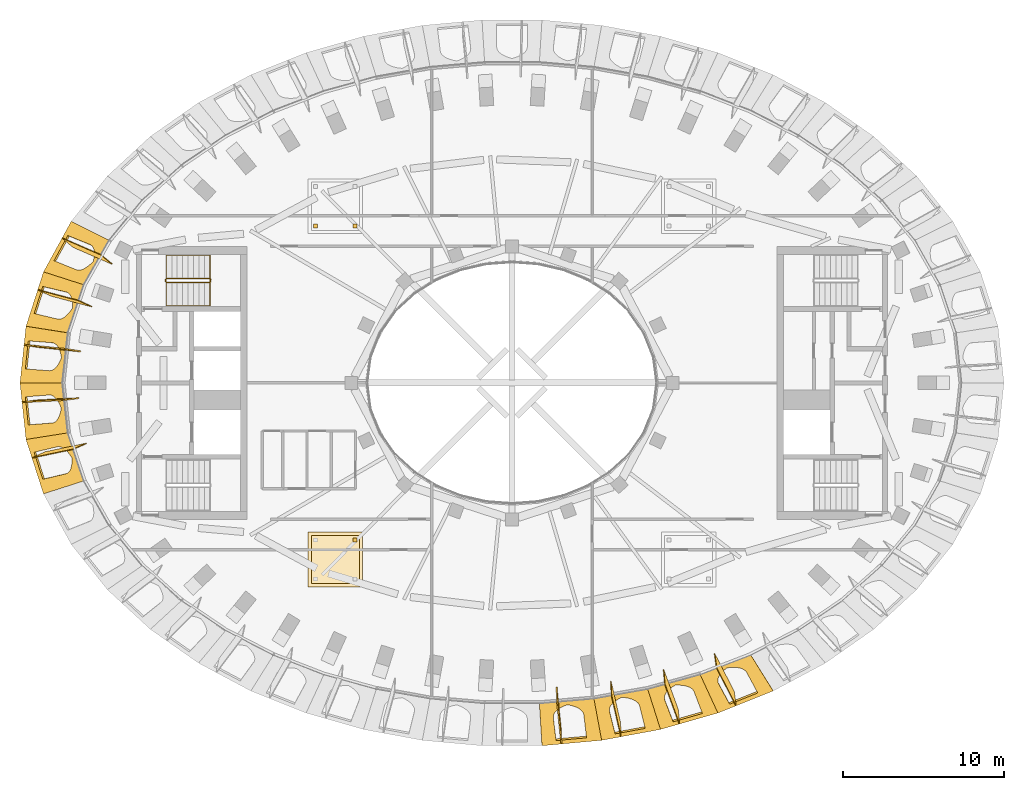
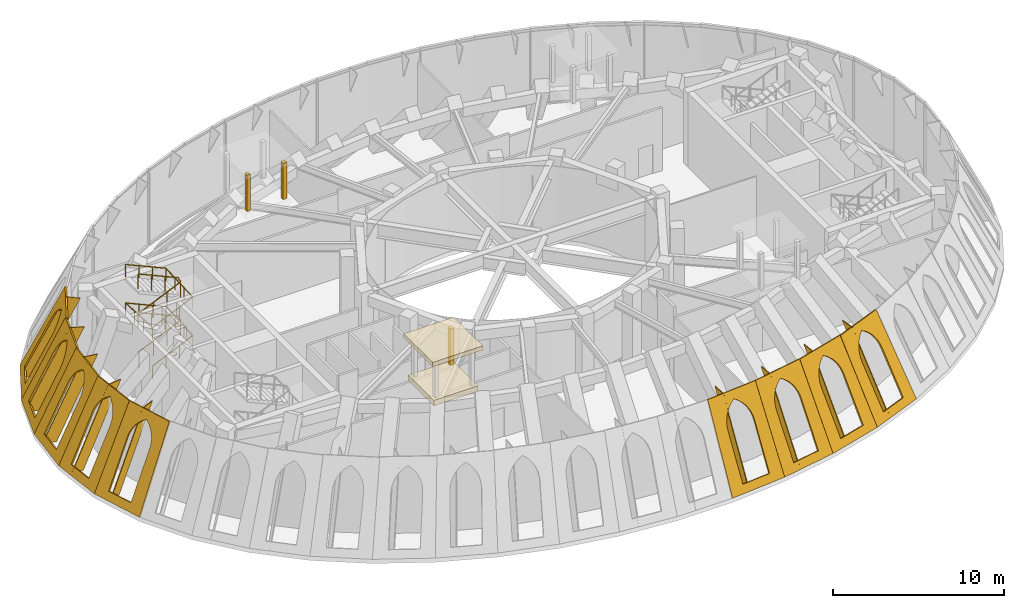
# One storey, part 10 of 13: 23 coverings, 2 railings.
"""IFC4 building model written with IfcOpenShell, lengths in metres."""

from ifc_helpers import new_model, si_unit, direction, frame, origin, origin_2d, place, context, subcontext, project, spatial, polyline, rectangle, outline, extrude, material, layer, layer_set, type_object, element, save


model = new_model("IFC4")

# Units and contexts
model_context = context("Model", 3, precision=1e-05, world=origin(), true_north=direction((0.0, 1.0)))
body_context = subcontext(model_context, "Body", "Model", "MODEL_VIEW")
ifc_project = project(units=[si_unit("LENGTHUNIT", "METRE"), si_unit("AREAUNIT", "SQUARE_METRE"), si_unit("VOLUMEUNIT", "CUBIC_METRE"), si_unit("PLANEANGLEUNIT", "RADIAN"), si_unit("MASSUNIT", "GRAM", prefix="KILO")], contexts=[model_context])

# Site, building, storey
site_placement = place(None, origin())
site = spatial("IfcSite", under=ifc_project, at=site_placement, CompositionType="ELEMENT")
building_placement = place(site_placement, origin())
building = spatial("IfcBuilding", under=site, at=building_placement, Name="Noorbagh Ring Tower", CompositionType="ELEMENT")
storey_placement = place(building_placement, frame((0.0, 0.0, 351.0)))
storey = spatial("IfcBuildingStorey", under=building, at=storey_placement, Name="L77", CompositionType="ELEMENT", Elevation=351.0)

# Railings
ifc_material_1 = material(Name="Stainless steel", Category="steel")
railing_type_1 = type_object("IfcRailingType", Name="CORE-STAIR-GUARD", PredefinedType="GUARDRAIL", material=ifc_material_1)
railing_1_placement = place(storey_placement, frame((-21.580078125, 6.300048828125, 0.0)))
element("IfcRailing", 1, at=railing_1_placement, inside=storey, type_object=railing_type_1, Name="L77 ST1 stair guard", PredefinedType="GUARDRAIL", context=body_context, shape_type="SweptSolid", body=[
    extrude(rectangle(XDim=0.048095703125, YDim=0.048095703125, at=origin_2d()), frame((0.0, 0.0, 1.076171875), z_axis=(0.0, 1.0, 0.0), x_axis=(-1.0, 0.0, 0.0)), (0.0, 0.0, 1.0), 0.14990234375),
    extrude(rectangle(XDim=0.048095703125, YDim=0.048095703125, at=origin_2d()), frame((0.0, 0.14990234375, 1.076171875), z_axis=(0.195046945594, -0.779236333862, 0.595606770449), x_axis=(0.970072785993, 0.242814311512, 0.0)), (0.0, 0.0, 1.0), 0.256591796875),
    extrude(rectangle(XDim=0.048095703125, YDim=0.048095703125, at=origin_2d()), frame((0.050048828125, -0.050048828125, 1.22900390625), z_axis=(0.912149621895, 0.0, 0.409857374312), x_axis=(0.0, 1.0, 0.0)), (0.0, 0.0, 1.0), 2.98193359375),
    extrude(rectangle(XDim=0.048095703125, YDim=0.048095703125, at=origin_2d()), frame((2.77001953125, -0.050048828125, 2.451171875), z_axis=(0.707106781187, 0.707106781187, 0.0), x_axis=(-0.707106781187, 0.707106781187, 0.0)), (0.0, 0.0, 1.0), 0.07080078125),
    extrude(rectangle(XDim=0.048095703125, YDim=0.048095703125, at=origin_2d()), frame((2.820068359375, 0.0, 2.451171875), z_axis=(0.0, 1.0, 0.0), x_axis=(-1.0, 0.0, 0.0)), (0.0, 0.0, 1.0), 0.14990234375),
    extrude(rectangle(XDim=0.048095703125, YDim=0.048095703125, at=origin_2d()), frame((2.820068359375, 0.14990234375, 2.451171875), z_axis=(-0.297155754911, 0.297155754911, 0.90741220768), x_axis=(-0.707106781187, -0.707106781187, 0.0)), (0.0, 0.0, 1.0), 0.16845703125),
    extrude(rectangle(XDim=0.048095703125, YDim=0.048095703125, at=origin_2d()), frame((2.77001953125, 0.199951171875, 2.60400390625), z_axis=(-0.912149621895, 0.0, 0.409857374312), x_axis=(0.0, -1.0, 0.0)), (0.0, 0.0, 1.0), 2.98193359375),
    extrude(rectangle(XDim=0.048095703125, YDim=0.048095703125, at=origin_2d()), frame((0.050048828125, 0.199951171875, 3.826171875), z_axis=(-0.242814311512, -0.970072785993, 0.0), x_axis=(0.970072785993, -0.242814311512, 0.0)), (0.0, 0.0, 1.0), 0.2060546875),
    extrude(rectangle(XDim=0.048095703125, YDim=0.048095703125, at=origin_2d()), frame((0.0, 0.0, 3.826171875), z_axis=(0.0, 1.0, 0.0), x_axis=(-1.0, 0.0, 0.0)), (0.0, 0.0, 1.0), 0.14990234375),
    extrude(rectangle(XDim=0.048095703125, YDim=0.048095703125, at=origin_2d()), frame((0.0, 0.14990234375, 3.826171875), z_axis=(0.195046945594, -0.779236333862, 0.595606770449), x_axis=(0.970072785993, 0.242814311512, 0.0)), (0.0, 0.0, 1.0), 0.256591796875),
    extrude(rectangle(XDim=0.048095703125, YDim=0.048095703125, at=origin_2d()), frame((0.050048828125, -0.050048828125, 3.97900390625), z_axis=(0.912149621895, 0.0, 0.409857374312), x_axis=(0.0, 1.0, 0.0)), (0.0, 0.0, 1.0), 2.98193359375),
    extrude(rectangle(XDim=0.048095703125, YDim=0.048095703125, at=origin_2d()), frame((2.77001953125, -0.050048828125, 5.201171875), z_axis=(0.707106781187, 0.707106781187, 0.0), x_axis=(-0.707106781187, 0.707106781187, 0.0)), (0.0, 0.0, 1.0), 0.07080078125),
    extrude(rectangle(XDim=0.048095703125, YDim=0.048095703125, at=origin_2d()), frame((2.820068359375, 0.0, 5.201171875), z_axis=(0.0, 1.0, 0.0), x_axis=(-1.0, 0.0, 0.0)), (0.0, 0.0, 1.0), 0.14990234375),
    extrude(rectangle(XDim=0.048095703125, YDim=0.048095703125, at=origin_2d()), frame((2.820068359375, 0.14990234375, 5.201171875), z_axis=(-0.297155754911, 0.297155754911, 0.90741220768), x_axis=(-0.707106781187, -0.707106781187, 0.0)), (0.0, 0.0, 1.0), 0.16845703125),
    extrude(rectangle(XDim=0.048095703125, YDim=0.048095703125, at=origin_2d()), frame((2.77001953125, 0.199951171875, 5.35400390625), z_axis=(-0.912149621895, 0.0, 0.409857374312), x_axis=(0.0, -1.0, 0.0)), (0.0, 0.0, 1.0), 2.98193359375),
    extrude(rectangle(XDim=0.0419921875, YDim=0.0419921875, at=origin_2d()), origin(), (0.0, 0.0, 1.0), 1.052001953125),
    extrude(rectangle(XDim=0.0419921875, YDim=0.0419921875, at=origin_2d()), frame((0.956787109375, -0.050048828125, 0.560302734375)), (0.0, 0.0, 1.0), 1.052001953125),
    extrude(rectangle(XDim=0.0419921875, YDim=0.0419921875, at=origin_2d()), frame((1.86328125, -0.050048828125, 0.967529296875)), (0.0, 0.0, 1.0), 1.052001953125),
    extrude(rectangle(XDim=0.0419921875, YDim=0.0419921875, at=origin_2d()), frame((2.77001953125, -0.050048828125, 1.375)), (0.0, 0.0, 1.0), 1.052001953125),
    extrude(rectangle(XDim=0.0419921875, YDim=0.0419921875, at=origin_2d()), frame((1.86328125, 0.199951171875, 1.935302734375)), (0.0, 0.0, 1.0), 1.052001953125),
    extrude(rectangle(XDim=0.0419921875, YDim=0.0419921875, at=origin_2d()), frame((0.956787109375, 0.199951171875, 2.342529296875)), (0.0, 0.0, 1.0), 1.052001953125),
    extrude(rectangle(XDim=0.0419921875, YDim=0.0419921875, at=origin_2d()), frame((0.050048828125, 0.199951171875, 2.75)), (0.0, 0.0, 1.0), 1.052001953125),
    extrude(rectangle(XDim=0.0419921875, YDim=0.0419921875, at=origin_2d()), frame((0.956787109375, -0.050048828125, 3.310302734375)), (0.0, 0.0, 1.0), 1.052001953125),
    extrude(rectangle(XDim=0.0419921875, YDim=0.0419921875, at=origin_2d()), frame((1.86328125, -0.050048828125, 3.717529296875)), (0.0, 0.0, 1.0), 1.052001953125),
    extrude(rectangle(XDim=0.0419921875, YDim=0.0419921875, at=origin_2d()), frame((2.77001953125, -0.050048828125, 4.125)), (0.0, 0.0, 1.0), 1.052001953125),
    extrude(rectangle(XDim=0.0419921875, YDim=0.0419921875, at=origin_2d()), frame((1.86328125, 0.199951171875, 4.685302734375)), (0.0, 0.0, 1.0), 1.052001953125),
    extrude(rectangle(XDim=0.0419921875, YDim=0.0419921875, at=origin_2d()), frame((0.956787109375, 0.199951171875, 5.092529296875)), (0.0, 0.0, 1.0), 1.052001953125),
    extrude(rectangle(XDim=0.0419921875, YDim=0.0419921875, at=origin_2d()), frame((0.050048828125, 0.199951171875, 5.5)), (0.0, 0.0, 1.0), 1.052001953125),
])
ifc_material_2 = material(Name="Stainless steel", Category="steel")
railing_type_2 = type_object("IfcRailingType", Name="CORE-STAIR-HANDRAIL", PredefinedType="HANDRAIL", material=ifc_material_2)
railing_2_placement = place(storey_placement, frame((-21.530029296875, 4.800048828125, 0.15283203125)))
element("IfcRailing", 2, at=railing_2_placement, inside=storey, type_object=railing_type_2, Name="L77 ST1 stair handrail", PredefinedType="HANDRAIL", context=body_context, shape_type="SweptSolid", body=[
    extrude(rectangle(XDim=0.048095703125, YDim=0.048095703125, at=origin_2d()), frame((0.0, 0.0, 0.8759765625), z_axis=(0.912149621895, 0.0, 0.409857374312), x_axis=(0.0, 1.0, 0.0)), (0.0, 0.0, 1.0), 2.98193359375),
    extrude(rectangle(XDim=0.048095703125, YDim=0.048095703125, at=origin_2d()), frame((2.719970703125, 0.0, 2.09814453125), z_axis=(0.0, 0.998824997948, 0.048462598722), x_axis=(-1.0, 0.0, 0.0)), (0.0, 0.0, 1.0), 3.153564453125),
    extrude(rectangle(XDim=0.048095703125, YDim=0.048095703125, at=origin_2d()), frame((2.719970703125, 3.14990234375, 2.2509765625), z_axis=(-0.912149621895, 0.0, 0.409857374312), x_axis=(0.0, -1.0, 0.0)), (0.0, 0.0, 1.0), 2.98193359375),
    extrude(rectangle(XDim=0.048095703125, YDim=0.048095703125, at=origin_2d()), frame((0.0, 3.14990234375, 3.47314453125), z_axis=(0.0, -0.998824997948, 0.048462598722), x_axis=(1.0, 0.0, 0.0)), (0.0, 0.0, 1.0), 3.153564453125),
    extrude(rectangle(XDim=0.048095703125, YDim=0.048095703125, at=origin_2d()), frame((0.0, 0.0, 3.6259765625), z_axis=(0.912149621895, 0.0, 0.409857374312), x_axis=(0.0, 1.0, 0.0)), (0.0, 0.0, 1.0), 2.98193359375),
    extrude(rectangle(XDim=0.048095703125, YDim=0.048095703125, at=origin_2d()), frame((2.719970703125, 0.0, 4.84814453125), z_axis=(0.0, 0.998824997948, 0.048462598722), x_axis=(-1.0, 0.0, 0.0)), (0.0, 0.0, 1.0), 3.153564453125),
    extrude(rectangle(XDim=0.048095703125, YDim=0.048095703125, at=origin_2d()), frame((2.719970703125, 3.14990234375, 5.0009765625), z_axis=(-0.912149621895, 0.0, 0.409857374312), x_axis=(0.0, -1.0, 0.0)), (0.0, 0.0, 1.0), 2.98193359375),
    extrude(rectangle(XDim=0.0419921875, YDim=0.0419921875, at=origin_2d()), origin(), (0.0, 0.0, 1.0), 0.851806640625),
    extrude(rectangle(XDim=0.0419921875, YDim=0.0419921875, at=origin_2d()), frame((0.90673828125, 0.0, 0.407470703125)), (0.0, 0.0, 1.0), 0.851806640625),
    extrude(rectangle(XDim=0.0419921875, YDim=0.0419921875, at=origin_2d()), frame((1.813232421875, 0.0, 0.814697265625)), (0.0, 0.0, 1.0), 0.851806640625),
    extrude(rectangle(XDim=0.0419921875, YDim=0.0419921875, at=origin_2d()), frame((2.719970703125, 0.0, 1.22216796875)), (0.0, 0.0, 1.0), 0.851806640625),
    extrude(rectangle(XDim=0.0419921875, YDim=0.0419921875, at=origin_2d()), frame((2.719970703125, 1.050048828125, 1.273193359375)), (0.0, 0.0, 1.0), 0.851806640625),
    extrude(rectangle(XDim=0.0419921875, YDim=0.0419921875, at=origin_2d()), frame((2.719970703125, 2.099853515625, 1.323974609375)), (0.0, 0.0, 1.0), 0.851806640625),
    extrude(rectangle(XDim=0.0419921875, YDim=0.0419921875, at=origin_2d()), frame((2.719970703125, 3.14990234375, 1.375)), (0.0, 0.0, 1.0), 0.851806640625),
    extrude(rectangle(XDim=0.0419921875, YDim=0.0419921875, at=origin_2d()), frame((1.813232421875, 3.14990234375, 1.782470703125)), (0.0, 0.0, 1.0), 0.851806640625),
    extrude(rectangle(XDim=0.0419921875, YDim=0.0419921875, at=origin_2d()), frame((0.90673828125, 3.14990234375, 2.189697265625)), (0.0, 0.0, 1.0), 0.851806640625),
    extrude(rectangle(XDim=0.0419921875, YDim=0.0419921875, at=origin_2d()), frame((0.0, 3.14990234375, 2.59716796875)), (0.0, 0.0, 1.0), 0.851806640625),
    extrude(rectangle(XDim=0.0419921875, YDim=0.0419921875, at=origin_2d()), frame((0.0, 2.099853515625, 2.648193359375)), (0.0, 0.0, 1.0), 0.851806640625),
    extrude(rectangle(XDim=0.0419921875, YDim=0.0419921875, at=origin_2d()), frame((0.0, 1.050048828125, 2.698974609375)), (0.0, 0.0, 1.0), 0.851806640625),
    extrude(rectangle(XDim=0.0419921875, YDim=0.0419921875, at=origin_2d()), frame((0.0, 0.0, 2.75)), (0.0, 0.0, 1.0), 0.851806640625),
    extrude(rectangle(XDim=0.0419921875, YDim=0.0419921875, at=origin_2d()), frame((0.90673828125, 0.0, 3.157470703125)), (0.0, 0.0, 1.0), 0.851806640625),
    extrude(rectangle(XDim=0.0419921875, YDim=0.0419921875, at=origin_2d()), frame((1.813232421875, 0.0, 3.564697265625)), (0.0, 0.0, 1.0), 0.851806640625),
    extrude(rectangle(XDim=0.0419921875, YDim=0.0419921875, at=origin_2d()), frame((2.719970703125, 0.0, 3.97216796875)), (0.0, 0.0, 1.0), 0.851806640625),
    extrude(rectangle(XDim=0.0419921875, YDim=0.0419921875, at=origin_2d()), frame((2.719970703125, 1.050048828125, 4.023193359375)), (0.0, 0.0, 1.0), 0.851806640625),
    extrude(rectangle(XDim=0.0419921875, YDim=0.0419921875, at=origin_2d()), frame((2.719970703125, 2.099853515625, 4.073974609375)), (0.0, 0.0, 1.0), 0.851806640625),
    extrude(rectangle(XDim=0.0419921875, YDim=0.0419921875, at=origin_2d()), frame((2.719970703125, 3.14990234375, 4.125)), (0.0, 0.0, 1.0), 0.851806640625),
    extrude(rectangle(XDim=0.0419921875, YDim=0.0419921875, at=origin_2d()), frame((1.813232421875, 3.14990234375, 4.532470703125)), (0.0, 0.0, 1.0), 0.851806640625),
    extrude(rectangle(XDim=0.0419921875, YDim=0.0419921875, at=origin_2d()), frame((0.90673828125, 3.14990234375, 4.939697265625)), (0.0, 0.0, 1.0), 0.851806640625),
    extrude(rectangle(XDim=0.0419921875, YDim=0.0419921875, at=origin_2d()), frame((0.0, 3.14990234375, 5.34716796875)), (0.0, 0.0, 1.0), 0.851806640625),
])

# Coverings
ifc_material_3 = material(Name="Aluminium 6063-T6 black anodised", Category="aluminium")
ifc_layer_1 = layer(ifc_material_3, 0.050048828125)
ifc_layer_set_1 = layer_set([ifc_layer_1], Name="Aluminium 6063-T6 black anodised")
covering_type_1 = type_object("IfcCoveringType", Name="STYLE-HEAD-FIN", PredefinedType="CLADDING", material=ifc_layer_set_1)
covering_1_placement = place(storey_placement, frame((-28.0283203125, 9.00732421875, 0.0), z_axis=(-0.631422093689, -0.764133679394, 0.131931268533), x_axis=(0.397918196086, -0.173262845084, 0.900911258525)))
element("IfcCovering", 3, at=covering_1_placement, inside=storey, type_object=covering_type_1, Name="Fin rib F21 L77", ObjectType="FIN", PredefinedType="CLADDING", context=body_context, shape_type="SweptSolid", body=[
    extrude(outline(polyline([(0.0, 0.0), (6.0981436999535905, 0.0), (6.473559880015704, -0.8179815776776231), (0.375319032065022, -0.8178190879686769), (0.0, 0.0)])), origin(), (0.0, 0.0, -1.0), 0.050048828125),
])
covering_2_placement = place(storey_placement, frame((-29.541015625, 5.783203125, 0.0), z_axis=(-0.421123798274, -0.903064576402, 0.084434100778), x_axis=(0.418850883761, -0.111058339854, 0.901238027561)))
element("IfcCovering", 4, at=covering_2_placement, inside=storey, type_object=covering_type_1, Name="Fin rib F22 L77", ObjectType="FIN", PredefinedType="CLADDING", context=body_context, shape_type="SweptSolid", body=[
    extrude(outline(polyline([(0.0, 0.0), (6.098111088642948, 4.440892098500626e-16), (6.482000174614036, -0.814024036820133), (0.38388908597108823, -0.8140240368201334), (0.0, 0.0)])), origin(), (0.0, 0.0, -1.0), 0.050048828125),
])
covering_3_placement = place(storey_placement, frame((-30.39208984375, 2.349609375, 0.0), z_axis=(-0.155920437651, -0.987450910795, 0.025090155303), x_axis=(0.430092683354, -0.045002125334, 0.901662404917)))
element("IfcCovering", 5, at=covering_3_placement, inside=storey, type_object=covering_type_1, Name="Fin rib F23 L77", ObjectType="FIN", PredefinedType="CLADDING", context=body_context, shape_type="SweptSolid", body=[
    extrude(outline(polyline([(0.0, 0.0), (6.098219914474853, -8.881784197001252e-16), (6.486853625939761, -0.8116910166216176), (0.3887387145614308, -0.8119081109215807), (0.0, 0.0)])), origin(), (0.0, 0.0, -1.0), 0.050048828125),
])
covering_4_placement = place(storey_placement, frame((-30.5166015625, -1.1748046875, 0.0), z_axis=(-0.132544157436, 0.990421986241, 0.038682496045), x_axis=(0.430821401995, 0.022419848073, 0.902158672294)))
element("IfcCovering", 6, at=covering_4_placement, inside=storey, type_object=covering_type_1, Name="Fin rib F24 L77", ObjectType="FIN", PredefinedType="CLADDING", context=body_context, shape_type="SweptSolid", body=[
    extrude(outline(polyline([(0.0, 0.0), (6.098112242007869, 4.440892098500626e-16), (6.485120227505372, 0.8125895832130765), (0.38700798549750287, 0.8125895832130757), (0.0, 0.0)])), origin(), (0.0, 0.0, -1.0), 0.050048828125),
])
covering_5_placement = place(storey_placement, frame((-29.904296875, -4.65380859375, 0.0), z_axis=(-0.400688424895, 0.910999154714, 0.097618268095), x_axis=(0.421321152864, 0.08859594368, 0.902573678385)))
element("IfcCovering", 7, at=covering_5_placement, inside=storey, type_object=covering_type_1, Name="Fin rib F25 L77", ObjectType="FIN", PredefinedType="CLADDING", context=body_context, shape_type="SweptSolid", body=[
    extrude(outline(polyline([(0.0, 0.0), (6.098283743966441, 0.0), (6.477437540398174, 0.8161121065043528), (0.3791537964317329, 0.8161121065043523), (0.0, 0.0)])), origin(), (0.0, 0.0, -1.0), 0.050048828125),
])
covering_6_placement = place(storey_placement, frame((3.10546875, -22.486572265625, 0.0), z_axis=(0.998980419536, 0.028329295479, 0.035150709833), x_axis=(-0.043929526282, 0.430489177446, 0.901526075509)))
element("IfcCovering", 8, at=covering_6_placement, inside=storey, type_object=covering_type_1, Name="Fin rib F36 L77", ObjectType="FIN", PredefinedType="CLADDING", context=body_context, shape_type="SweptSolid", body=[
    extrude(outline(polyline([(0.0, 0.0), (6.099407615344329, 0.0), (6.487826858300043, -0.8118943899853428), (0.38840851797371156, -0.8118918490677614), (0.0, 0.0)])), origin(), (0.0, 0.0, -1.0), 0.050048828125),
])
covering_7_placement = place(storey_placement, frame((6.8046875, -22.036376953125, 0.0), z_axis=(0.995291307424, 0.050832590545, 0.082530364739), x_axis=(-0.096307228498, 0.422334816244, 0.901309170445)))
element("IfcCovering", 9, at=covering_7_placement, inside=storey, type_object=covering_type_1, Name="Fin rib F37 L77", ObjectType="FIN", PredefinedType="CLADDING", context=body_context, shape_type="SweptSolid", body=[
    extrude(outline(polyline([(0.0, 0.0), (6.09925498751301, 0.0), (6.483219884376004, -0.8138220418115836), (0.3839648968629928, -0.8138220418115834), (0.0, 0.0)])), origin(), (0.0, 0.0, -1.0), 0.050048828125),
])
covering_8_placement = place(storey_placement, frame((10.439453125, -21.244384765625, 0.0), z_axis=(0.988635906254, 0.085886398174, 0.123379785514), x_axis=(-0.147865447446, 0.407570651298, 0.901122618544)))
element("IfcCovering", 10, at=covering_8_placement, inside=storey, type_object=covering_type_1, Name="Fin rib F38 L77", ObjectType="FIN", PredefinedType="CLADDING", context=body_context, shape_type="SweptSolid", body=[
    extrude(outline(polyline([(0.0, 0.0), (6.099163018322955, -4.440892098500626e-16), (6.47605962703906, -0.8171282697437583), (0.3768966087161059, -0.817128269743758), (0.0, 0.0)])), origin(), (0.0, 0.0, -1.0), 0.050048828125),
])
covering_9_placement = place(storey_placement, frame((13.9697265625, -20.10498046875, 0.0), z_axis=(0.977974624912, 0.139595830022, 0.155172926986), x_axis=(-0.198063756298, 0.386120249243, 0.900933905215)))
element("IfcCovering", 11, at=covering_9_placement, inside=storey, type_object=covering_type_1, Name="Fin rib F39 L77", ObjectType="FIN", PredefinedType="CLADDING", context=body_context, shape_type="SweptSolid", body=[
    extrude(outline(polyline([(0.0, 0.0), (6.09908564331805, 4.440892098500626e-16), (6.46835569379825, -0.8209151321671255), (0.36927005048019895, -0.8209151321671257), (0.0, 0.0)])), origin(), (0.0, 0.0, -1.0), 0.050048828125),
])
ifc_material_4 = material(Name="Red sandstone jali", Category="masonry")
ifc_layer_2 = layer(ifc_material_4, 0.1201171875)
ifc_layer_set_2 = layer_set([ifc_layer_2], Name="Red sandstone jali")
covering_type_2 = type_object("IfcCoveringType", Name="STYLE-HEAD-SKIN", PredefinedType="CLADDING", material=ifc_layer_set_2)
covering_10_placement = place(storey_placement, frame((-27.45361328125, 10.0546875, 0.0), z_axis=(-0.790422866591, 0.433738538333, 0.432553548517), x_axis=(-0.481078775956, -0.87667737, -1.5961245e-05)))
element("IfcCovering", 12, at=covering_10_placement, inside=storey, type_object=covering_type_2, Name="Head skin panel", ObjectType="HEAD SKIN", PredefinedType="CLADDING", context=body_context, shape_type="SweptSolid", body=[
    extrude(outline(polyline([(0.0, 0.0), (3.584228515625, 0.0), (3.08154296875, 6.100341796875), (-0.1103515625, 6.10009765625), (0.0, 0.0)]), holes=[polyline([(0.870849609375, 0.550048828125), (0.697509765625, 4.00244140625), (0.700927734375, 4.235595703125), (0.735107421875, 4.465087890625), (0.799072265625, 4.686279296875), (0.89208984375, 4.89599609375), (1.01220703125, 5.090576171875), (1.157470703125, 5.26611328125), (1.325439453125, 5.42041015625), (1.51318359375, 5.55029296875), (1.71435546875, 5.42041015625), (1.897705078125, 5.26611328125), (2.060791015625, 5.090576171875), (2.200439453125, 4.89599609375), (2.314453125, 4.686279296875), (2.400634765625, 4.465087890625), (2.457763671875, 4.235595703125), (2.48486328125, 4.00244140625), (2.658203125, 0.550048828125), (0.870849609375, 0.550048828125)])]), origin(), (0.0, 0.0, -1.0), 0.1201171875),
])
covering_11_placement = place(storey_placement, frame((-29.177978515625, 6.91259765625, 0.0), z_axis=(-0.858174500127, 0.275971766897, 0.432869623799), x_axis=(-0.306141158926, -0.951986129522, -2.868771e-06)))
element("IfcCovering", 13, at=covering_11_placement, inside=storey, type_object=covering_type_2, Name="Head skin panel", ObjectType="HEAD SKIN", PredefinedType="CLADDING", context=body_context, shape_type="SweptSolid", body=[
    extrude(outline(polyline([(0.0, 0.0), (3.55908203125, 0.0), (3.15185546875, 6.101318359375), (-0.002197265625, 6.101318359375), (0.0, 0.0)]), holes=[polyline([(0.8779296875, 0.550048828125), (0.761474609375, 4.021484375), (0.768798828125, 4.252197265625), (0.806396484375, 4.478759765625), (0.873291015625, 4.697509765625), (0.968505859375, 4.90478515625), (1.09033203125, 5.0966796875), (1.23681640625, 5.2705078125), (1.405517578125, 5.4228515625), (1.59326171875, 5.55126953125), (1.789794921875, 5.4228515625), (1.968505859375, 5.2705078125), (2.126708984375, 5.0966796875), (2.261474609375, 4.90478515625), (2.37060546875, 4.697509765625), (2.452392578125, 4.478759765625), (2.5048828125, 4.252197265625), (2.52783203125, 4.021484375), (2.644287109375, 0.550048828125), (0.8779296875, 0.550048828125)])]), origin(), (0.0, 0.0, -1.0), 0.1201171875),
])
covering_12_placement = place(storey_placement, frame((-30.267578125, 3.5244140625, 0.0), z_axis=(-0.896648776635, 0.095029668454, 0.432423789207), x_axis=(-0.105393246827, -0.99443062278, -7.24868e-07)))
element("IfcCovering", 14, at=covering_12_placement, inside=storey, type_object=covering_type_2, Name="Head skin panel", ObjectType="HEAD SKIN", PredefinedType="CLADDING", context=body_context, shape_type="SweptSolid", body=[
    extrude(outline(polyline([(0.0, 0.0), (3.544189453125, 0.0), (3.265869140625, 6.099853515625), (0.1337890625, 6.099853515625), (0.0, 0.0)]), holes=[polyline([(0.888671875, 0.550048828125), (0.847412109375, 4.031005859375), (0.859619140625, 4.259765625), (0.90185546875, 4.48486328125), (0.972900390625, 4.7021484375), (1.072021484375, 4.90771484375), (1.197265625, 5.0986328125), (1.346435546875, 5.27099609375), (1.51708984375, 5.42236328125), (1.706298828125, 5.5498046875), (1.898681640625, 5.42236328125), (2.072998046875, 5.27099609375), (2.226318359375, 5.0986328125), (2.35595703125, 4.90771484375), (2.4599609375, 4.7021484375), (2.5361328125, 4.48486328125), (2.58349609375, 4.259765625), (2.601318359375, 4.031005859375), (2.642578125, 0.550048828125), (0.888671875, 0.550048828125)])]), origin(), (0.0, 0.0, -1.0), 0.1201171875),
])
covering_13_placement = place(storey_placement, frame((-30.64111328125, 0.0, 0.0), z_axis=(-0.897366164299, -0.095105699463, 0.43091631798), x_axis=(0.105393244421, -0.994430623035, 7.22919e-07)))
element("IfcCovering", 15, at=covering_13_placement, inside=storey, type_object=covering_type_2, Name="Head skin panel", ObjectType="HEAD SKIN", PredefinedType="CLADDING", context=body_context, shape_type="SweptSolid", body=[
    extrude(outline(polyline([(0.0, 0.0), (3.544189453125, 0.0), (3.410400390625, 6.094970703125), (0.2783203125, 6.094970703125), (0.0, 0.0)]), holes=[polyline([(0.901611328125, 0.550048828125), (0.94287109375, 4.02587890625), (0.960693359375, 4.2548828125), (1.008056640625, 4.47998046875), (1.084228515625, 4.697265625), (1.188232421875, 4.90283203125), (1.31787109375, 5.09375), (1.47119140625, 5.26611328125), (1.6455078125, 5.41748046875), (1.837890625, 5.544921875), (2.027099609375, 5.41748046875), (2.19775390625, 5.26611328125), (2.346923828125, 5.09375), (2.47216796875, 4.90283203125), (2.5712890625, 4.697265625), (2.642333984375, 4.47998046875), (2.6845703125, 4.2548828125), (2.69677734375, 4.02587890625), (2.655517578125, 0.550048828125), (0.901611328125, 0.550048828125)])]), origin(), (0.0, 0.0, -1.0), 0.1201171875),
])
covering_14_placement = place(storey_placement, frame((-30.267578125, -3.5244140625, 0.0), z_axis=(-0.860097212233, -0.276579506936, 0.428645030126), x_axis=(0.306132482227, -0.951988919722, 7.158631e-06)))
element("IfcCovering", 16, at=covering_14_placement, inside=storey, type_object=covering_type_2, Name="Head skin panel", ObjectType="HEAD SKIN", PredefinedType="CLADDING", context=body_context, shape_type="SweptSolid", body=[
    extrude(outline(polyline([(0.0, 0.0), (3.55908203125, 0.0), (3.561767578125, 6.087646484375), (0.4072265625, 6.087646484375), (0.0, 0.0)]), holes=[polyline([(0.914794921875, 0.550048828125), (1.03125, 4.0078125), (1.05419921875, 4.238525390625), (1.106689453125, 4.465087890625), (1.1884765625, 4.683837890625), (1.297607421875, 4.89111328125), (1.432373046875, 5.083251953125), (1.590576171875, 5.257080078125), (1.769287109375, 5.4091796875), (1.9658203125, 5.53759765625), (2.15380859375, 5.4091796875), (2.322265625, 5.257080078125), (2.46875, 5.083251953125), (2.590576171875, 4.89111328125), (2.685791015625, 4.683837890625), (2.752685546875, 4.465087890625), (2.790283203125, 4.238525390625), (2.797607421875, 4.0078125), (2.68115234375, 0.550048828125), (0.914794921875, 0.550048828125)])]), origin(), (0.0, 0.0, -1.0), 0.1201171875),
])
covering_15_placement = place(storey_placement, frame((1.86669921875, -22.59912109375, 0.0), z_axis=(0.08143161661, -0.89784367595, 0.432718875685), x_axis=(0.995911886044, 0.090330034698, 8.170478e-06)))
element("IfcCovering", 17, at=covering_15_placement, inside=storey, type_object=covering_type_2, Name="Head skin panel", ObjectType="HEAD SKIN", PredefinedType="CLADDING", context=body_context, shape_type="SweptSolid", body=[
    extrude(outline(polyline([(0.0, 0.0), (3.73193359375, 0.0), (3.487060546875, 6.100830078125), (0.077880859375, 6.100830078125), (0.0, 0.0)]), holes=[polyline([(0.90380859375, 0.550048828125), (0.85791015625, 3.8974609375), (0.870849609375, 4.146484375), (0.916259765625, 4.3916015625), (0.993408203125, 4.6279296875), (1.1005859375, 4.85205078125), (1.236572265625, 5.0595703125), (1.398681640625, 5.247314453125), (1.584228515625, 5.412109375), (1.789794921875, 5.55078125), (1.99951171875, 5.412109375), (2.189453125, 5.247314453125), (2.356689453125, 5.0595703125), (2.498291015625, 4.85205078125), (2.61181640625, 4.6279296875), (2.6953125, 4.3916015625), (2.747314453125, 4.146484375), (2.76708984375, 3.8974609375), (2.81298828125, 0.550048828125), (0.90380859375, 0.550048828125)])]), origin(), (0.0, 0.0, -1.0), 0.1201171875),
])
covering_16_placement = place(storey_placement, frame((5.583251953125, -22.261962890625, 0.0), z_axis=(0.163727458525, -0.886468562919, 0.43285887571), x_axis=(0.983368611567, 0.181620961709, -7.324887e-06)))
element("IfcCovering", 18, at=covering_16_placement, inside=storey, type_object=covering_type_2, Name="Head skin panel", ObjectType="HEAD SKIN", PredefinedType="CLADDING", context=body_context, shape_type="SweptSolid", body=[
    extrude(outline(polyline([(0.0, 0.0), (3.7265625, 0.0), (3.400146484375, 6.101318359375), (-0.001708984375, 6.10107421875), (0.0, 0.0)]), holes=[polyline([(0.89599609375, 0.550048828125), (0.805908203125, 3.901611328125), (0.8154296875, 4.150146484375), (0.857666015625, 4.39453125), (0.931396484375, 4.630615234375), (1.035400390625, 4.85400390625), (1.16845703125, 5.061279296875), (1.32763671875, 5.24853515625), (1.510498046875, 5.412841796875), (1.714111328125, 5.55126953125), (1.925048828125, 5.412841796875), (2.11669921875, 5.24853515625), (2.2861328125, 5.061279296875), (2.43017578125, 4.85400390625), (2.54638671875, 4.630615234375), (2.6328125, 4.39453125), (2.68798828125, 4.150146484375), (2.7109375, 3.901611328125), (2.801025390625, 0.550048828125), (0.89599609375, 0.550048828125)])]), origin(), (0.0, 0.0, -1.0), 0.1201171875),
])
covering_17_placement = place(storey_placement, frame((9.247802734375, -21.585205078125, 0.0), z_axis=(0.247829422841, -0.86679912217, 0.432712212653), x_axis=(0.961472173463, 0.274902272768, 9.139774e-06)))
element("IfcCovering", 19, at=covering_17_placement, inside=storey, type_object=covering_type_2, Name="Head skin panel", ObjectType="HEAD SKIN", PredefinedType="CLADDING", context=body_context, shape_type="SweptSolid", body=[
    extrude(outline(polyline([(0.0, 0.0), (3.71826171875, 0.0), (3.315185546875, 6.1005859375), (-0.07421875, 6.100830078125), (0.0, 0.0)]), holes=[polyline([(0.888427734375, 0.550048828125), (0.757080078125, 3.9072265625), (0.763671875, 4.15478515625), (0.802490234375, 4.3984375), (0.873291015625, 4.633544921875), (0.974365234375, 4.856201171875), (1.104248046875, 5.0625), (1.260498046875, 5.249267578125), (1.44091796875, 5.412841796875), (1.641845703125, 5.55078125), (1.853515625, 5.412841796875), (2.046630859375, 5.249267578125), (2.2177734375, 5.0625), (2.36376953125, 4.856201171875), (2.482177734375, 4.633544921875), (2.5712890625, 4.3984375), (2.629150390625, 4.15478515625), (2.655029296875, 3.9072265625), (2.78662109375, 0.550048828125), (0.888427734375, 0.550048828125)])]), origin(), (0.0, 0.0, -1.0), 0.1201171875),
])
covering_18_placement = place(storey_placement, frame((12.82275390625, -20.56298828125, 0.0), z_axis=(0.334492651265, -0.837351581237, 0.43238523986), x_axis=(0.928649859441, 0.370957461766, -1.0954121e-05)))
element("IfcCovering", 20, at=covering_18_placement, inside=storey, type_object=covering_type_2, Name="Head skin panel", ObjectType="HEAD SKIN", PredefinedType="CLADDING", context=body_context, shape_type="SweptSolid", body=[
    extrude(outline(polyline([(0.0, 0.0), (3.70556640625, 0.0), (3.23388671875, 6.099609375), (-0.13671875, 6.099609375), (0.0, 0.0)]), holes=[polyline([(0.881591796875, 0.550048828125), (0.7138671875, 3.9150390625), (0.7177734375, 4.161376953125), (0.75390625, 4.403564453125), (0.821533203125, 4.637451171875), (0.919921875, 4.85888671875), (1.046875, 5.064208984375), (1.2001953125, 5.249755859375), (1.3779296875, 5.41259765625), (1.576416015625, 5.5498046875), (1.78857421875, 5.41259765625), (1.982177734375, 5.249755859375), (2.154296875, 5.064208984375), (2.3017578125, 4.85888671875), (2.421875, 4.637451171875), (2.512939453125, 4.403564453125), (2.5732421875, 4.161376953125), (2.6015625, 3.9150390625), (2.769287109375, 0.550048828125), (0.881591796875, 0.550048828125)])]), origin(), (0.0, 0.0, -1.0), 0.1201171875),
])
ifc_material_5 = material(Name="Red sandstone cladding", Category="masonry")
ifc_layer_3 = layer(ifc_material_5, 0.300048828125)
ifc_layer_set_3 = layer_set([ifc_layer_3], Name="Red sandstone cladding")
covering_type_3 = type_object("IfcCoveringType", Name="STYLE-KIOSK-CORNICE", PredefinedType="CLADDING", material=ifc_layer_set_3)
covering_19_placement = place(storey_placement, frame((-11.0, -11.0, 8.5), z_axis=(0.0, 0.0, 1.0), x_axis=(1.0, 0.0, 0.0)))
element("IfcCovering", 21, at=covering_19_placement, inside=storey, type_object=covering_type_3, Name="Chhatri cornice", ObjectType="KIOSK", PredefinedType="CLADDING", context=body_context, shape_type="SweptSolid", body=[
    extrude(rectangle(XDim=3.39990234375, YDim=3.39990234375, at=origin_2d()), origin(), (0.0, 0.0, 1.0), 0.300048828125),
])
ifc_material_6 = material(Name="Red sandstone cladding", Category="masonry")
ifc_layer_4 = layer(ifc_material_6, 0.39990234375)
ifc_layer_set_4 = layer_set([ifc_layer_4], Name="Red sandstone cladding")
covering_type_4 = type_object("IfcCoveringType", Name="STYLE-KIOSK-PLINTH", PredefinedType="CLADDING", material=ifc_layer_set_4)
covering_20_placement = place(storey_placement, frame((-11.0, -11.0, 5.5), z_axis=(0.0, 0.0, 1.0), x_axis=(1.0, 0.0, 0.0)))
element("IfcCovering", 22, at=covering_20_placement, inside=storey, type_object=covering_type_4, Name="Chhatri plinth", ObjectType="KIOSK", PredefinedType="CLADDING", context=body_context, shape_type="SweptSolid", body=[
    extrude(rectangle(XDim=3.0, YDim=3.0, at=origin_2d()), origin(), (0.0, 0.0, 1.0), 0.39990234375),
])
ifc_material_7 = material(Name="Red sandstone cladding", Category="masonry")
covering_type_5 = type_object("IfcCoveringType", Name="STYLE-KIOSK-POST", PredefinedType="CLADDING", material=ifc_material_7)
for number, where, z_axis, x_axis, name in (
    (23, (-12.22509765625, 9.77490234375, 5.89990234375), (0.0, 0.0, 1.0), (1.0, 0.0, 0.0), "Chhatri post"),
    (24, (-9.77490234375, 9.77490234375, 5.89990234375), (0.0, 0.0, 1.0), (1.0, 0.0, 0.0), "Chhatri post"),
    (25, (-9.77490234375, -9.77490234375, 5.89990234375), (0.0, 0.0, 1.0), (1.0, 0.0, 0.0), "Chhatri post"),
):
    element("IfcCovering", number, at=place(storey_placement, frame(where, z_axis=z_axis, x_axis=x_axis)), inside=storey, type_object=covering_type_5, Name=name, ObjectType="KIOSK", PredefinedType="CLADDING", context=body_context, shape_type="SweptSolid", body=[
        extrude(rectangle(XDim=0.25, YDim=0.25, at=origin_2d()), origin(), (0.0, 0.0, 1.0), 2.60009765625),
    ])

save(model, "model.ifc")
